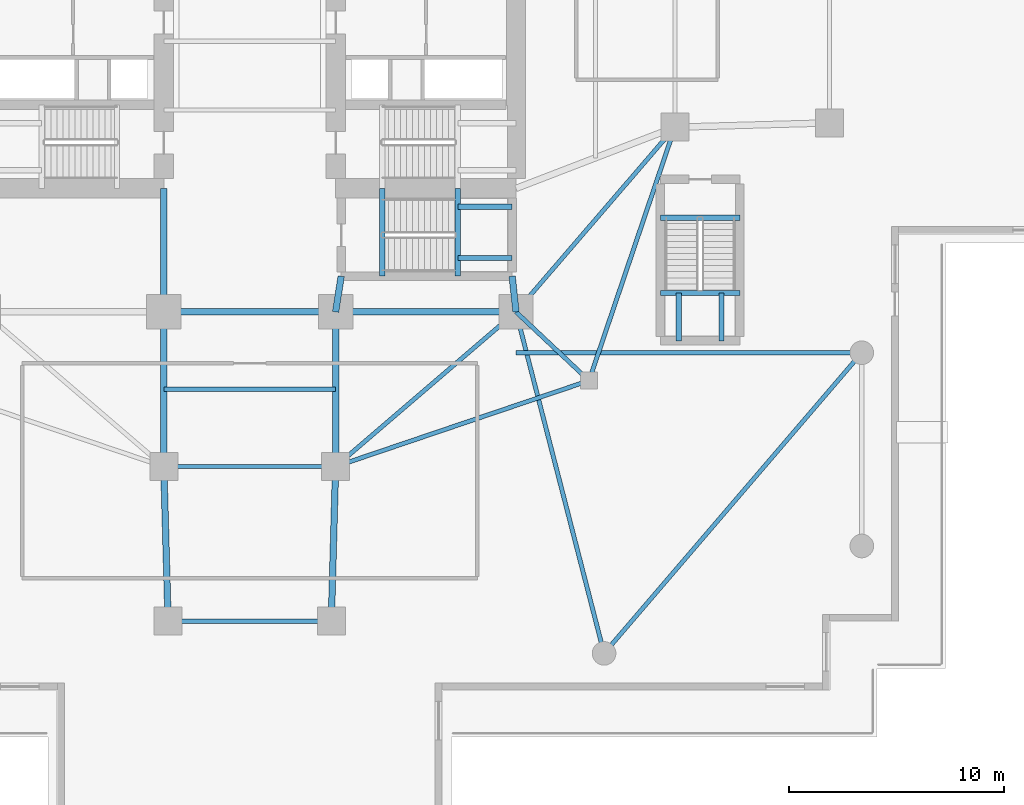
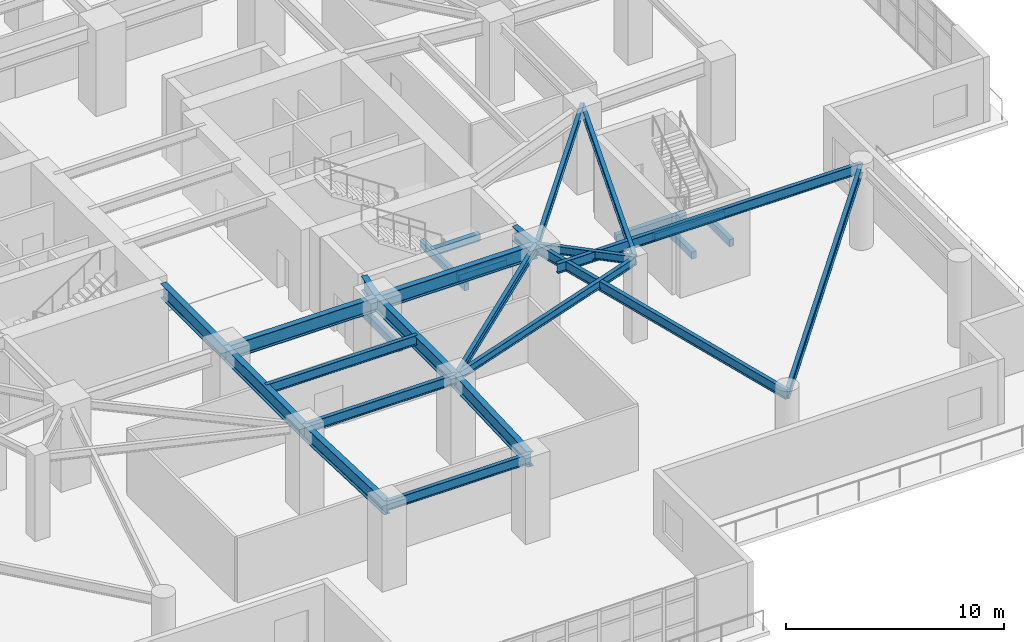
# One storey, part 3 of 23: 28 beams.
"""IFC4 building model written with IfcOpenShell, lengths in metres."""

from ifc_helpers import new_model, si_unit, direction, frame, origin, origin_2d, place, context, subcontext, project, spatial, rectangle, i_section, extrude, material, material_profile, profile_set, type_object, element, save


model = new_model("IFC4")

# Units and contexts
model_context = context("Model", 3, precision=1e-05, world=origin(), true_north=direction((0.0, 1.0)))
body_context = subcontext(model_context, "Body", "Model", "MODEL_VIEW")
ifc_project = project(units=[si_unit("LENGTHUNIT", "METRE"), si_unit("AREAUNIT", "SQUARE_METRE"), si_unit("VOLUMEUNIT", "CUBIC_METRE"), si_unit("PLANEANGLEUNIT", "RADIAN"), si_unit("MASSUNIT", "GRAM", prefix="KILO")], contexts=[model_context])

# Site, building, storey
site_placement = place(None, origin())
site = spatial("IfcSite", under=ifc_project, at=site_placement, CompositionType="ELEMENT")
building_placement = place(site_placement, origin())
building = spatial("IfcBuilding", under=site, at=building_placement, Name="Qingluan Cross Belvedere", CompositionType="ELEMENT")
storey_placement = place(building_placement, frame((0.0, 0.0, 5.39990234375)))
storey = spatial("IfcBuildingStorey", under=building, at=storey_placement, Name="L02", CompositionType="ELEMENT", Elevation=5.39990234375)

# Beams
ifc_material_1 = material(Name="Concrete C45", Category="concrete")
ifc_material_profile_1 = material_profile(ifc_material_1, rectangle(XDim=0.25, YDim=0.39990234375, at=origin_2d()), Name="RC250x400")
ifc_profile_set_1 = profile_set([ifc_material_profile_1], Name="Concrete C45")
beam_type_1 = type_object("IfcBeamType", Name="RC_Lintel_RC250x400", PredefinedType="LINTEL", material=ifc_profile_set_1)
beam_1_placement = place(storey_placement, frame((6.179931640625, -10.93994140625, -0.199951171875), z_axis=(0.0, 1.0, 0.0), x_axis=(-1.0, 0.0, 0.0)))
element("IfcBeam", 1, at=beam_1_placement, inside=storey, type_object=beam_type_1, Name="Stair ST4 landing beam L02", PredefinedType="LINTEL", context=body_context, shape_type="SweptSolid", body=[
    extrude(rectangle(XDim=0.25, YDim=0.39990234375, at=origin_2d()), origin(), (0.0, 0.0, 1.0), 4.08984375),
])
beam_2_placement = place(storey_placement, frame((19.1201171875, -8.2099609375, -0.199951171875), z_axis=(1.0, 0.0, 0.0), x_axis=(0.0, 1.0, 0.0)))
element("IfcBeam", 2, at=beam_2_placement, inside=storey, type_object=beam_type_1, Name="Stair ST6 landing beam L02", PredefinedType="LINTEL", context=body_context, shape_type="SweptSolid", body=[
    extrude(rectangle(XDim=0.25, YDim=0.39990234375, at=origin_2d()), origin(), (0.0, 0.0, 1.0), 3.699951171875),
])
beam_3_placement = place(storey_placement, frame((9.68994140625, -10.93994140625, 2.0), z_axis=(0.0, 1.0, 0.0), x_axis=(-1.0, 0.0, 0.0)))
element("IfcBeam", 3, at=beam_3_placement, inside=storey, type_object=beam_type_1, Name="Stair ST4 beam A L02", PredefinedType="LINTEL", context=body_context, shape_type="SweptSolid", body=[
    extrude(rectangle(XDim=0.25, YDim=0.39990234375, at=origin_2d()), origin(), (0.0, 0.0, 1.0), 4.08984375),
])
for number, where, z_axis, x_axis, name in (
    (4, (12.219970703125, -10.090087890625, 2.0), (-1.0, 0.0, 0.0), (0.0, -1.0, 0.0), "Stair ST4 beam B L02"),
    (5, (12.219970703125, -7.699951171875, 2.0), (-1.0, 0.0, 0.0), (0.0, -1.0, 0.0), "Stair ST4 beam C L02"),
):
    element("IfcBeam", number, at=place(storey_placement, frame(where, z_axis=z_axis, x_axis=x_axis)), inside=storey, type_object=beam_type_1, Name=name, PredefinedType="LINTEL", context=body_context, shape_type="SweptSolid", body=[
        extrude(rectangle(XDim=0.25, YDim=0.39990234375, at=origin_2d()), origin(), (0.0, 0.0, 1.0), 2.530029296875),
    ])
beam_4_placement = place(storey_placement, frame((19.1201171875, -11.719970703125, 2.0), z_axis=(1.0, 0.0, 0.0), x_axis=(0.0, 1.0, 0.0)))
element("IfcBeam", 6, at=beam_4_placement, inside=storey, type_object=beam_type_1, Name="Stair ST6 beam A L02", PredefinedType="LINTEL", context=body_context, shape_type="SweptSolid", body=[
    extrude(rectangle(XDim=0.25, YDim=0.39990234375, at=origin_2d()), origin(), (0.0, 0.0, 1.0), 3.699951171875),
])
for number, where, z_axis, x_axis, name in (
    (7, (19.969970703125, -13.949951171875, 2.0), (0.0, 1.0, 0.0), (-1.0, 0.0, 0.0), "Stair ST6 beam B L02"),
    (8, (21.969970703125, -13.949951171875, 2.0), (0.0, 1.0, 0.0), (-1.0, 0.0, 0.0), "Stair ST6 beam C L02"),
):
    element("IfcBeam", number, at=place(storey_placement, frame(where, z_axis=z_axis, x_axis=x_axis)), inside=storey, type_object=beam_type_1, Name=name, PredefinedType="LINTEL", context=body_context, shape_type="SweptSolid", body=[
        extrude(rectangle(XDim=0.25, YDim=0.39990234375, at=origin_2d()), origin(), (0.0, 0.0, 1.0), 2.22998046875),
    ])
ifc_material_2 = material(Name="Steel Q420GJB", Category="steel")
ifc_material_profile_2 = material_profile(ifc_material_2, i_section(OverallWidth=0.199951171875, OverallDepth=0.449951171875, WebThickness=0.009033203125, FlangeThickness=0.013916015625, FilletRadius=0.01611328125, at=origin_2d()), Name="HN450x200x9x14")
ifc_profile_set_2 = profile_set([ifc_material_profile_2], Name="Steel Q420GJB")
beam_type_2 = type_object("IfcBeamType", Name="Steel_Beam_HN450x200x9x14", PredefinedType="JOIST", material=ifc_profile_set_2)
beam_5_placement = place(storey_placement, frame((12.39990234375, -12.60009765625, 4.3251953125), z_axis=(0.728219948308, -0.685343495546, 0.0), x_axis=(0.685343495546, 0.728219948308, 0.0)))
element("IfcBeam", 9, at=beam_5_placement, inside=storey, type_object=beam_type_2, Name="Corner beam 1 L02-RSE", PredefinedType="JOIST", context=body_context, shape_type="SweptSolid", body=[
    extrude(i_section(OverallWidth=0.199951171875, OverallDepth=0.449951171875, WebThickness=0.009033203125, FlangeThickness=0.013916015625, FilletRadius=0.01611328125, at=origin_2d()), origin(), (0.0, 0.0, 1.0), 4.669189453125),
])
for number, where, z_axis, x_axis, name in (
    (10, (15.800048828125, -15.800048828125, 4.3251953125), (-0.947066283324, -0.321038089628, 0.0), (0.321038089628, -0.947066283324, 0.0), "Corner beam 2 L02-RSE"),
    (11, (15.800048828125, -15.800048828125, 4.3251953125), (0.321038089628, 0.947066283324, 0.0), (-0.947066283324, 0.321038089628, 0.0), "Corner beam 3 L02-RSE"),
):
    element("IfcBeam", number, at=place(storey_placement, frame(where, z_axis=z_axis, x_axis=x_axis)), inside=storey, type_object=beam_type_2, Name=name, PredefinedType="JOIST", context=body_context, shape_type="SweptSolid", body=[
        extrude(i_section(OverallWidth=0.199951171875, OverallDepth=0.449951171875, WebThickness=0.009033203125, FlangeThickness=0.013916015625, FilletRadius=0.01611328125, at=origin_2d()), origin(), (0.0, 0.0, 1.0), 12.45947265625),
    ])
beam_6_placement = place(storey_placement, frame((12.39990234375, -12.60009765625, 4.3251953125), z_axis=(0.652245077546, 0.75800815221, 0.0), x_axis=(-0.75800815221, 0.652245077546, 0.0)))
element("IfcBeam", 12, at=beam_6_placement, inside=storey, type_object=beam_type_2, Name="Corner beam 4 L02-RSE", PredefinedType="JOIST", context=body_context, shape_type="SweptSolid", body=[
    extrude(i_section(OverallWidth=0.199951171875, OverallDepth=0.449951171875, WebThickness=0.009033203125, FlangeThickness=0.013916015625, FilletRadius=0.01611328125, at=origin_2d()), origin(), (0.0, 0.0, 1.0), 11.345703125),
])
beam_7_placement = place(storey_placement, frame((12.39990234375, -12.60009765625, 4.3251953125), z_axis=(-0.759255044656, -0.650793190779, 0.0), x_axis=(0.650793190779, -0.759255044656, 0.0)))
element("IfcBeam", 13, at=beam_7_placement, inside=storey, type_object=beam_type_2, Name="Corner beam 5 L02-RSE", PredefinedType="JOIST", context=body_context, shape_type="SweptSolid", body=[
    extrude(i_section(OverallWidth=0.199951171875, OverallDepth=0.449951171875, WebThickness=0.009033203125, FlangeThickness=0.013916015625, FilletRadius=0.01611328125, at=origin_2d()), origin(), (0.0, 0.0, 1.0), 11.063232421875),
])
ifc_material_3 = material(Name="Steel Q420GJB", Category="steel")
ifc_material_profile_3 = material_profile(ifc_material_3, i_section(OverallWidth=0.199951171875, OverallDepth=0.550048828125, WebThickness=0.010009765625, FlangeThickness=0.01611328125, FilletRadius=0.01611328125, at=origin_2d()), Name="HN550x200x10x16")
ifc_profile_set_3 = profile_set([ifc_material_profile_3], Name="Steel Q420GJB")
beam_type_3 = type_object("IfcBeamType", Name="Steel_Beam_HN550x200x10x16", PredefinedType="JOIST", material=ifc_profile_set_3)
for number, where, z_axis, x_axis, name in (
    (14, (-4.0, -19.800048828125, 4.275146484375), (1.0, 0.0, 0.0), (0.0, 1.0, 0.0), "Arm S tie L02"),
    (15, (-4.0, -16.199951171875, 4.275146484375), (1.0, 0.0, 0.0), (0.0, 1.0, 0.0), "Arm S beam L02"),
):
    element("IfcBeam", number, at=place(storey_placement, frame(where, z_axis=z_axis, x_axis=x_axis)), inside=storey, type_object=beam_type_3, Name=name, PredefinedType="JOIST", context=body_context, shape_type="SweptSolid", body=[
        extrude(i_section(OverallWidth=0.199951171875, OverallDepth=0.550048828125, WebThickness=0.010009765625, FlangeThickness=0.01611328125, FilletRadius=0.01611328125, at=origin_2d()), origin(), (0.0, 0.0, 1.0), 8.0),
    ])
beam_8_placement = place(storey_placement, frame((-3.800048828125, -27.0, 4.275146484375), z_axis=(1.0, 0.0, 0.0), x_axis=(0.0, 1.0, 0.0)))
element("IfcBeam", 16, at=beam_8_placement, inside=storey, type_object=beam_type_3, Name="Arm S tip transverse beam L02", PredefinedType="JOIST", context=body_context, shape_type="SweptSolid", body=[
    extrude(i_section(OverallWidth=0.199951171875, OverallDepth=0.550048828125, WebThickness=0.010009765625, FlangeThickness=0.01611328125, FilletRadius=0.01611328125, at=origin_2d()), origin(), (0.0, 0.0, 1.0), 7.60009765625),
])
beam_9_placement = place(storey_placement, frame((12.39990234375, -14.5, 4.275146484375), z_axis=(1.0, 0.0, 0.0), x_axis=(0.0, 1.0, 0.0)))
element("IfcBeam", 17, at=beam_9_placement, inside=storey, type_object=beam_type_3, Name="Podium quadrant tie beam L02-ESH1", PredefinedType="JOIST", context=body_context, shape_type="SweptSolid", body=[
    extrude(i_section(OverallWidth=0.199951171875, OverallDepth=0.550048828125, WebThickness=0.010009765625, FlangeThickness=0.01611328125, FilletRadius=0.01611328125, at=origin_2d()), origin(), (0.0, 0.0, 1.0), 16.10009765625),
])
beam_10_placement = place(storey_placement, frame((12.39990234375, -12.60009765625, 4.275146484375), z_axis=(0.249700840873, -0.968323029814, 0.0), x_axis=(0.968323029814, 0.249700840873, 0.0)))
element("IfcBeam", 18, at=beam_10_placement, inside=storey, type_object=beam_type_3, Name="Podium quadrant tie beam L02-ESH3", PredefinedType="JOIST", context=body_context, shape_type="SweptSolid", body=[
    extrude(i_section(OverallWidth=0.199951171875, OverallDepth=0.550048828125, WebThickness=0.010009765625, FlangeThickness=0.01611328125, FilletRadius=0.01611328125, at=origin_2d()), origin(), (0.0, 0.0, 1.0), 16.419921875),
])
beam_11_placement = place(storey_placement, frame((28.5, -14.5, 4.275146484375), z_axis=(-0.650791373456, -0.759256602365, 0.0), x_axis=(0.759256602365, -0.650791373456, 0.0)))
element("IfcBeam", 19, at=beam_11_placement, inside=storey, type_object=beam_type_3, Name="Podium quadrant tie beam L02-ES13", PredefinedType="JOIST", context=body_context, shape_type="SweptSolid", body=[
    extrude(i_section(OverallWidth=0.199951171875, OverallDepth=0.550048828125, WebThickness=0.010009765625, FlangeThickness=0.01611328125, FilletRadius=0.01611328125, at=origin_2d()), origin(), (0.0, 0.0, 1.0), 18.439208984375),
])
ifc_material_4 = material(Name="Steel Q420GJB", Category="steel")
ifc_material_profile_4 = material_profile(ifc_material_4, i_section(OverallWidth=0.300048828125, OverallDepth=0.800048828125, WebThickness=0.015380859375, FlangeThickness=0.028076171875, FilletRadius=0.030029296875, at=origin_2d()), Name="HEB800")
ifc_profile_set_4 = profile_set([ifc_material_profile_4], Name="Steel Q420GJB")
beam_type_4 = type_object("IfcBeamType", Name="Steel_Girder_HEB800", PredefinedType="USERDEFINED", material=ifc_profile_set_4)
beam_12_placement = place(storey_placement, frame((-4.0, -12.60009765625, 4.150146484375), z_axis=(1.0, 0.0, 0.0), x_axis=(0.0, 1.0, 0.0)))
element("IfcBeam", 20, at=beam_12_placement, inside=storey, type_object=beam_type_4, Name="Hub girder L02-HG-S2", ObjectType="GIRDER", PredefinedType="USERDEFINED", context=body_context, shape_type="SweptSolid", body=[
    extrude(i_section(OverallWidth=0.300048828125, OverallDepth=0.800048828125, WebThickness=0.015380859375, FlangeThickness=0.028076171875, FilletRadius=0.030029296875, at=origin_2d()), origin(), (0.0, 0.0, 1.0), 8.0),
])
beam_13_placement = place(storey_placement, frame((4.0, -12.60009765625, 4.150146484375), z_axis=(1.0, 0.0, 0.0), x_axis=(0.0, 1.0, 0.0)))
element("IfcBeam", 21, at=beam_13_placement, inside=storey, type_object=beam_type_4, Name="Hub girder L02-HG-S3", ObjectType="GIRDER", PredefinedType="USERDEFINED", context=body_context, shape_type="SweptSolid", body=[
    extrude(i_section(OverallWidth=0.300048828125, OverallDepth=0.800048828125, WebThickness=0.015380859375, FlangeThickness=0.028076171875, FilletRadius=0.030029296875, at=origin_2d()), origin(), (0.0, 0.0, 1.0), 8.39990234375),
])
beam_14_placement = place(storey_placement, frame((12.39990234375, -12.60009765625, 4.150146484375), z_axis=(-0.107751337451, 0.994177876075, 0.0), x_axis=(-0.994177876075, -0.107751337451, 0.0)))
element("IfcBeam", 22, at=beam_14_placement, inside=storey, type_object=beam_type_4, Name="Hub girder L02-HG-E1", ObjectType="GIRDER", PredefinedType="USERDEFINED", context=body_context, shape_type="SweptSolid", body=[
    extrude(i_section(OverallWidth=0.300048828125, OverallDepth=0.800048828125, WebThickness=0.015380859375, FlangeThickness=0.028076171875, FilletRadius=0.030029296875, at=origin_2d()), origin(), (0.0, 0.0, 1.0), 1.669921875),
])
beam_15_placement = place(storey_placement, frame((-4.0, -12.60009765625, 4.150146484375), z_axis=(0.0, 1.0, 0.0), x_axis=(-1.0, 0.0, 0.0)))
element("IfcBeam", 23, at=beam_15_placement, inside=storey, type_object=beam_type_4, Name="Hub girder L02-HG-CW", ObjectType="GIRDER", PredefinedType="USERDEFINED", context=body_context, shape_type="SweptSolid", body=[
    extrude(i_section(OverallWidth=0.300048828125, OverallDepth=0.800048828125, WebThickness=0.015380859375, FlangeThickness=0.028076171875, FilletRadius=0.030029296875, at=origin_2d()), origin(), (0.0, 0.0, 1.0), 5.75),
])
beam_16_placement = place(storey_placement, frame((4.0, -12.60009765625, 4.150146484375), z_axis=(0.154731433337, 0.987956569662, 0.0), x_axis=(-0.987956569662, 0.154731433337, 0.0)))
element("IfcBeam", 24, at=beam_16_placement, inside=storey, type_object=beam_type_4, Name="Hub girder L02-HG-CE", ObjectType="GIRDER", PredefinedType="USERDEFINED", context=body_context, shape_type="SweptSolid", body=[
    extrude(i_section(OverallWidth=0.300048828125, OverallDepth=0.800048828125, WebThickness=0.015380859375, FlangeThickness=0.028076171875, FilletRadius=0.030029296875, at=origin_2d()), origin(), (0.0, 0.0, 1.0), 1.680419921875),
])
for number, where, z_axis, x_axis, name in (
    (25, (-4.0, -12.60009765625, 4.150146484375), (0.0, -1.0, 0.0), (1.0, 0.0, 0.0), "Arm S radial girder A L02"),
    (26, (4.0, -12.60009765625, 4.150146484375), (0.0, -1.0, 0.0), (1.0, 0.0, 0.0), "Arm S radial girder B L02"),
):
    element("IfcBeam", number, at=place(storey_placement, frame(where, z_axis=z_axis, x_axis=x_axis)), inside=storey, type_object=beam_type_4, Name=name, ObjectType="GIRDER", PredefinedType="USERDEFINED", context=body_context, shape_type="SweptSolid", body=[
        extrude(i_section(OverallWidth=0.300048828125, OverallDepth=0.800048828125, WebThickness=0.015380859375, FlangeThickness=0.028076171875, FilletRadius=0.030029296875, at=origin_2d()), origin(), (0.0, 0.0, 1.0), 7.199951171875),
    ])
for number, where, z_axis, x_axis, name in (
    (27, (-4.0, -19.800048828125, 4.150146484375), (0.027760481514, -0.999614603568, 0.0), (0.999614603568, 0.027760481514, 0.0), "Arm S outer radial girder A L02"),
    (28, (4.0, -19.800048828125, 4.150146484375), (-0.027760481514, -0.999614603568, 0.0), (0.999614603568, -0.027760481514, 0.0), "Arm S outer radial girder B L02"),
):
    element("IfcBeam", number, at=place(storey_placement, frame(where, z_axis=z_axis, x_axis=x_axis)), inside=storey, type_object=beam_type_4, Name=name, ObjectType="GIRDER", PredefinedType="USERDEFINED", context=body_context, shape_type="SweptSolid", body=[
        extrude(i_section(OverallWidth=0.300048828125, OverallDepth=0.800048828125, WebThickness=0.015380859375, FlangeThickness=0.028076171875, FilletRadius=0.030029296875, at=origin_2d()), origin(), (0.0, 0.0, 1.0), 7.20263671875),
    ])

save(model, "model.ifc")
